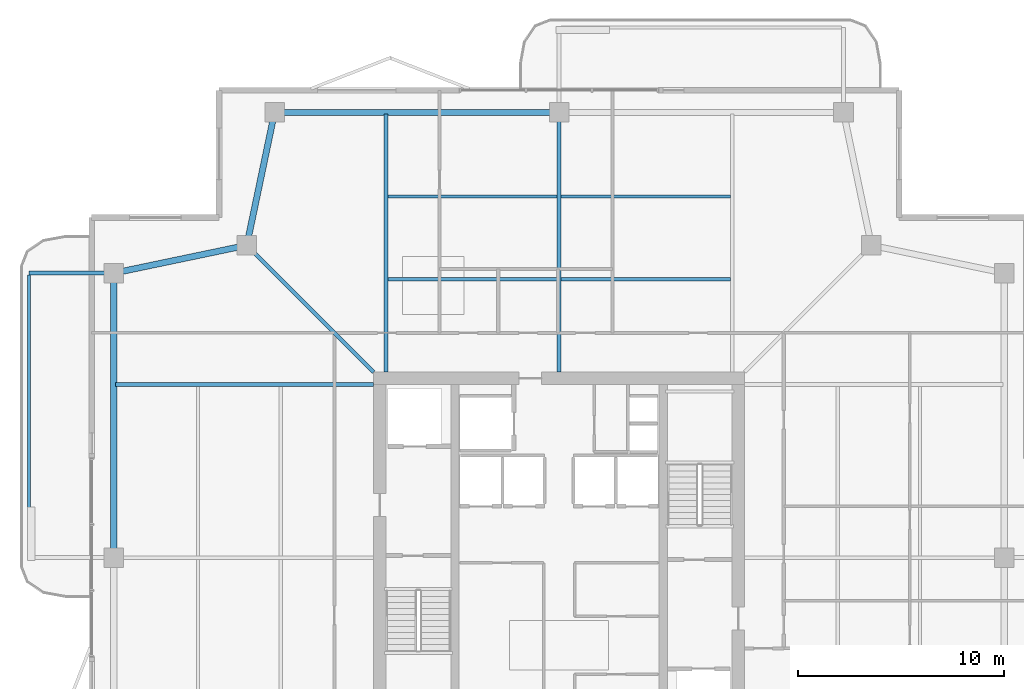
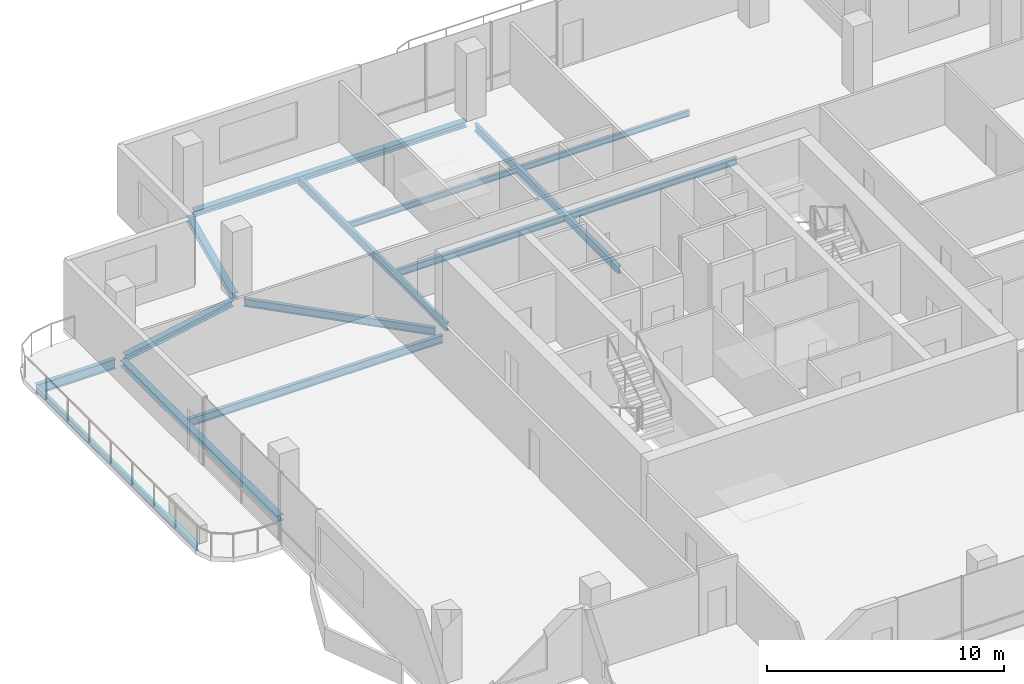
# One storey, part 9 of 17: 14 beams.
"""IFC4 building model written with IfcOpenShell, lengths in metres."""

import ifcopenshell
import ifcopenshell.guid

model = None  # the IFC model being written
_history = None  # IfcOwnerHistory: only IFC2X3 demands one
_inside = {}  # id of a spatial element -> (the spatial element, [elements in it])
_under = {}  # id of a project, library or spatial element -> (it, [spatial elements below it])
_declared = {}  # id of a project -> (the project, [libraries it declares])
_typed = {}  # id of a type object -> (the type object, [elements of that type])
_made_of = {}  # id of a material, layer set ... -> (it, [elements and type objects made of it])


def new_model(schema):
    """Start an empty IFC model of exactly this schema.

    Asked for "IFC4X3", IfcOpenShell would pick the latest addendum, in which some entities
    have other attributes; the version numbers below select the first issue.
    IFC2X3 requires an IfcOwnerHistory on every rooted entity: one is made here for all.
    """
    global model, _history
    if schema == "IFC4X3":
        model = ifcopenshell.file(schema_version=(4, 3, 0, 0))
    else:
        model = ifcopenshell.file(schema=schema)
    _inside.clear()
    _under.clear()
    _declared.clear()
    _typed.clear()
    _made_of.clear()
    _history = None
    if model.schema == "IFC2X3":
        org = make("IfcOrganization", Name="unknown")
        user = make(
            "IfcPersonAndOrganization",
            ThePerson=make("IfcPerson", FamilyName="unknown"),
            TheOrganization=org,
        )
        app = make(
            "IfcApplication",
            ApplicationDeveloper=org,
            Version="unknown",
            ApplicationFullName="unknown",
            ApplicationIdentifier="unknown",
        )
        _history = make(
            "IfcOwnerHistory",
            OwningUser=user,
            OwningApplication=app,
            ChangeAction="ADDED",
            CreationDate=0,
        )
    return model


def make(cls, **values):
    """One entity of the class cls with the attributes given. An attribute that is None is left unset."""
    return model.create_entity(
        cls, **{name: value for name, value in values.items() if value is not None}
    )


def rooted(cls, **values):
    """An entity with a GlobalId (a new one), such as an element, a storey or a relation."""
    return make(cls, GlobalId=ifcopenshell.guid.new(), OwnerHistory=_history, **values)


def si_unit(unit_type, name, prefix=None):
    """IfcSIUnit, for example si_unit("LENGTHUNIT", "METRE", prefix="MILLI")."""
    return make("IfcSIUnit", UnitType=unit_type, Prefix=prefix, Name=name)


def assignment(units):
    """IfcUnitAssignment: the units of a project."""
    return None if units is None else make("IfcUnitAssignment", Units=units)


def point(xyz):
    """IfcCartesianPoint."""
    return None if xyz is None else make("IfcCartesianPoint", Coordinates=xyz)


def direction(xyz):
    """IfcDirection."""
    return None if xyz is None else make("IfcDirection", DirectionRatios=xyz)


def frame(location, z_axis=None, x_axis=None):
    """IfcAxis2Placement3D, a coordinate frame: its origin and axes. An axis left out is left unset."""
    return make(
        "IfcAxis2Placement3D",
        Location=point(location),
        Axis=direction(z_axis),
        RefDirection=direction(x_axis),
    )


def frame_2d(location, x_axis=None):
    """IfcAxis2Placement2D, a coordinate frame in the plane: its origin and x axis."""
    return make(
        "IfcAxis2Placement2D", Location=point(location), RefDirection=direction(x_axis)
    )


def origin():
    """The frame at (0, 0, 0) with its axes left unset."""
    return frame((0.0, 0.0, 0.0))


def origin_2d():
    """The frame at (0, 0) in the plane with its x axis left unset."""
    return frame_2d((0.0, 0.0))


def place(relative_to, where):
    """IfcLocalPlacement: puts the frame where relative to a parent placement (None: the world)."""
    return make(
        "IfcLocalPlacement", PlacementRelTo=relative_to, RelativePlacement=where
    )


def context(
    kind, dimensions, precision=None, world=None, true_north=None, identifier=None
):
    """IfcGeometricRepresentationContext, for example the 3D "Model" context."""
    return make(
        "IfcGeometricRepresentationContext",
        ContextIdentifier=identifier,
        ContextType=kind,
        CoordinateSpaceDimension=dimensions,
        Precision=precision,
        WorldCoordinateSystem=world,
        TrueNorth=true_north,
    )


def subcontext(parent, identifier, kind, view, scale=None):
    """IfcGeometricRepresentationSubContext, for example "Body" below "Model"."""
    return make(
        "IfcGeometricRepresentationSubContext",
        ContextIdentifier=identifier,
        ContextType=kind,
        ParentContext=parent,
        TargetScale=scale,
        TargetView=view,
    )


def project(units=None, contexts=None):
    """IfcProject with its units and contexts."""
    return rooted(
        "IfcProject",
        Name="project",
        RepresentationContexts=contexts,
        UnitsInContext=assignment(units),
    )


def spatial(cls, under=None, at=None, **own):
    """A site, building, storey or space (cls), placed at a placement, below another one or the project."""
    s = rooted(cls, ObjectPlacement=at, **own)
    if under is not None:
        _under.setdefault(under.id(), (under, []))[1].append(s)
    return s


def profile(cls, at=None, kind="AREA", **sizes):
    """A parametric profile (cls). Its sizes go by their IFC names, for example OverallWidth=200.0."""
    return make(cls, ProfileType=kind, Position=at, **sizes)


def i_section(**sizes):
    """IfcIShapeProfileDef."""
    return profile("IfcIShapeProfileDef", **sizes)


def extrude(swept, where, along, depth):
    """IfcExtrudedAreaSolid: the profile swept, set in the frame where, extruded along a direction by depth."""
    return make(
        "IfcExtrudedAreaSolid",
        SweptArea=swept,
        Position=where,
        ExtrudedDirection=direction(along),
        Depth=depth,
    )


def shape(context_of_items, identifier, shape_type, items):
    """IfcShapeRepresentation: the items that make up one representation, for example the "Body"."""
    return make(
        "IfcShapeRepresentation",
        ContextOfItems=context_of_items,
        RepresentationIdentifier=identifier,
        RepresentationType=shape_type,
        Items=items,
    )


def material(Name=None, Category=None):
    """IfcMaterial."""
    return make("IfcMaterial", Name=Name, Category=Category)


def material_profile(
    of_material, cross_section, Name=None, Category=None, Priority=None
):
    """IfcMaterialProfile: a cross section and its material."""
    return make(
        "IfcMaterialProfile",
        Name=Name,
        Material=of_material,
        Profile=cross_section,
        Priority=Priority,
        Category=Category,
    )


def profile_set(profiles, Name=None, composite=None):
    """IfcMaterialProfileSet."""
    return make(
        "IfcMaterialProfileSet",
        Name=Name,
        MaterialProfiles=profiles,
        CompositeProfile=composite,
    )


def made_of(thing, what):
    """Note that an element or type object is made of a material, layer set ...; save() writes the relation."""
    if what is not None:
        _made_of.setdefault(what.id(), (what, []))[1].append(thing)
    return thing


def type_object(cls, material=None, **own):
    """A type object (cls), such as IfcWallType, which elements share."""
    return made_of(rooted(cls, **own), material)


def element(
    cls,
    number,
    at=None,
    inside=None,
    cuts=None,
    type_object=None,
    material=None,
    context=None,
    identifier="Body",
    shape_type=None,
    held_by="IfcProductDefinitionShape",
    body=None,
    shapes=None,
    **own,
):
    """One element of the class cls, such as IfcWall. Its Tag is "e" and its number.

    at: its placement. inside: the storey or other place that contains it. cuts: it is an
    opening in that element (IfcRelVoidsElement). A single representation is given by context,
    identifier, shape_type and body (its items); several are given by shapes. held_by: the class
    of the entity that holds the representations. save() writes the other relations.
    """
    e = rooted(cls, Tag="e%d" % number, ObjectPlacement=at, **own)
    if body is not None:
        shapes = [shape(context, identifier, shape_type, body)]
    if shapes is not None:
        e.Representation = make(held_by, Representations=shapes)
    if inside is not None:
        _inside.setdefault(inside.id(), (inside, []))[1].append(e)
    if cuts is not None:
        rooted(
            "IfcRelVoidsElement", RelatingBuildingElement=cuts, RelatedOpeningElement=e
        )
    if type_object is not None:
        _typed.setdefault(type_object.id(), (type_object, []))[1].append(e)
    return made_of(e, material)


def aggregate(whole, parts):
    """IfcRelAggregates: a whole, such as a stair, and the parts it consists of."""
    return rooted("IfcRelAggregates", RelatingObject=whole, RelatedObjects=parts)


def save(model, path):
    """Write the relations noted so far, then the file.

    IfcRelAggregates (storeys below a building ...), IfcRelContainedInSpatialStructure (elements
    in a storey), IfcRelDefinesByType, IfcRelAssociatesMaterial and IfcRelDeclares: one each for
    every whole, place, type object, material and project.
    """
    for whole, parts in _under.values():
        aggregate(whole, parts)
    for where, things in _inside.values():
        rooted(
            "IfcRelContainedInSpatialStructure",
            RelatedElements=things,
            RelatingStructure=where,
        )
    for kind, things in _typed.values():
        rooted("IfcRelDefinesByType", RelatedObjects=things, RelatingType=kind)
    for what, things in _made_of.values():
        rooted("IfcRelAssociatesMaterial", RelatedObjects=things, RelatingMaterial=what)
    for by, libraries in _declared.values():
        rooted("IfcRelDeclares", RelatingContext=by, RelatedDefinitions=libraries)
    model.write(path)


model = new_model("IFC4")

# Units and contexts
model_context = context("Model", 3, precision=1e-05, world=origin(), true_north=direction((0.0, 1.0)))
body_context = subcontext(model_context, "Body", "Model", "MODEL_VIEW")
ifc_project = project(units=[si_unit("LENGTHUNIT", "METRE"), si_unit("AREAUNIT", "SQUARE_METRE"), si_unit("VOLUMEUNIT", "CUBIC_METRE"), si_unit("PLANEANGLEUNIT", "RADIAN"), si_unit("MASSUNIT", "GRAM", prefix="KILO")], contexts=[model_context])

# Site, building, storey
site_placement = place(None, origin())
site = spatial("IfcSite", under=ifc_project, at=site_placement, CompositionType="ELEMENT")
building_placement = place(site_placement, origin())
building = spatial("IfcBuilding", under=site, at=building_placement, Name="Belovzor Exchange Tower", CompositionType="ELEMENT")
storey_placement = place(building_placement, frame((0.0, 0.0, 303.0)))
storey = spatial("IfcBuildingStorey", under=building, at=storey_placement, Name="L75", CompositionType="ELEMENT", Elevation=303.0)

# Beams
ifc_material_1 = material(Name="Steel S355", Category="steel")
ifc_material_profile_1 = material_profile(ifc_material_1, i_section(OverallWidth=0.199951171875, OverallDepth=0.5, WebThickness=0.01025390625, FlangeThickness=0.01611328125, at=origin_2d()))
ifc_profile_set_1 = profile_set([ifc_material_profile_1], Name="Steel S355")
beam_type_1 = type_object("IfcBeamType", Name="Planted Balcony Cantilever Beam IPE 500", PredefinedType="BEAM", material=ifc_profile_set_1)
beam_1_placement = place(storey_placement, frame((6.93896484375, 42.60009765625, -0.489990234375), z_axis=(-1.0, 0.0, 0.0), x_axis=(0.0, -1.0, 0.0)))
element("IfcBeam", 1, at=beam_1_placement, inside=storey, type_object=beam_type_1, Name="BC-500 Planted Balcony Cantilever Beam IPE 500", PredefinedType="BEAM", context=body_context, shape_type="SweptSolid", body=[
    extrude(i_section(OverallWidth=0.199951171875, OverallDepth=0.5, WebThickness=0.01025390625, FlangeThickness=0.01611328125, at=origin_2d()), origin(), (0.0, 0.0, 1.0), 3.849853515625),
])
ifc_material_2 = material(Name="Steel S355", Category="steel")
ifc_material_profile_2 = material_profile(ifc_material_2, i_section(OverallWidth=0.14990234375, OverallDepth=0.300048828125, WebThickness=0.007080078125, FlangeThickness=0.0107421875, at=origin_2d()))
ifc_profile_set_2 = profile_set([ifc_material_profile_2], Name="Steel S355")
beam_type_2 = type_object("IfcBeamType", Name="Planted Balcony Fascia Edge Beam IPE 300", PredefinedType="BEAM", material=ifc_profile_set_2)
beam_2_placement = place(storey_placement, frame((3.089111328125, 42.5, -0.389892578125), z_axis=(0.0, -1.0, 0.0), x_axis=(1.0, 0.0, 0.0)))
element("IfcBeam", 2, at=beam_2_placement, inside=storey, type_object=beam_type_2, Name="BC-300 Planted Balcony Fascia Edge Beam IPE 300", PredefinedType="BEAM", context=body_context, shape_type="SweptSolid", body=[
    extrude(i_section(OverallWidth=0.14990234375, OverallDepth=0.300048828125, WebThickness=0.007080078125, FlangeThickness=0.0107421875, at=origin_2d()), origin(), (0.0, 0.0, 1.0), 13.60009765625),
])
ifc_material_3 = material(Name="Steel S355", Category="steel")
ifc_material_profile_3 = material_profile(ifc_material_3, i_section(OverallWidth=0.169921875, OverallDepth=0.360107421875, WebThickness=0.008056640625, FlangeThickness=0.0126953125, at=origin_2d()))
ifc_profile_set_3 = profile_set([ifc_material_profile_3], Name="Steel S355")
beam_type_3 = type_object("IfcBeamType", Name="Secondary Infill Floor Joist IPE 360", PredefinedType="BEAM", material=ifc_profile_set_3)
beam_3_placement = place(storey_placement, frame((20.489990234375, 42.30908203125, -0.419921875), z_axis=(1.0, 0.0, 0.0), x_axis=(0.0, 1.0, 0.0)))
element("IfcBeam", 3, at=beam_3_placement, inside=storey, type_object=beam_type_3, Name="FJ-360 Secondary Infill Floor Joist IPE 360", PredefinedType="BEAM", context=body_context, shape_type="SweptSolid", body=[
    extrude(i_section(OverallWidth=0.169921875, OverallDepth=0.360107421875, WebThickness=0.008056640625, FlangeThickness=0.0126953125, at=origin_2d()), origin(), (0.0, 0.0, 1.0), 8.219970703125),
])
beam_4_placement = place(storey_placement, frame((28.889892578125, 42.30908203125, -0.419921875), z_axis=(1.0, 0.0, 0.0), x_axis=(0.0, 1.0, 0.0)))
element("IfcBeam", 4, at=beam_4_placement, inside=storey, type_object=beam_type_3, Name="FJ-360 Secondary Infill Floor Joist IPE 360", PredefinedType="BEAM", context=body_context, shape_type="SweptSolid", body=[
    extrude(i_section(OverallWidth=0.169921875, OverallDepth=0.360107421875, WebThickness=0.008056640625, FlangeThickness=0.0126953125, at=origin_2d()), origin(), (0.0, 0.0, 1.0), 8.22021484375),
])
ifc_material_4 = material(Name="Steel S355", Category="steel")
ifc_material_profile_4 = material_profile(ifc_material_4, i_section(OverallWidth=0.14990234375, OverallDepth=0.300048828125, WebThickness=0.007080078125, FlangeThickness=0.0107421875, at=origin_2d()))
ifc_profile_set_4 = profile_set([ifc_material_profile_4], Name="Steel S355")
beam_type_4 = type_object("IfcBeamType", Name="Secondary Trim Floor Joist IPE 300", PredefinedType="BEAM", material=ifc_profile_set_4)
beam_5_placement = place(storey_placement, frame((20.489990234375, 46.31689453125, -0.389892578125), z_axis=(1.0, 0.0, 0.0), x_axis=(0.0, 1.0, 0.0)))
element("IfcBeam", 5, at=beam_5_placement, inside=storey, type_object=beam_type_4, Name="FJ-300 Secondary Trim Floor Joist IPE 300", PredefinedType="BEAM", context=body_context, shape_type="SweptSolid", body=[
    extrude(i_section(OverallWidth=0.14990234375, OverallDepth=0.300048828125, WebThickness=0.007080078125, FlangeThickness=0.0107421875, at=origin_2d()), origin(), (0.0, 0.0, 1.0), 8.219970703125),
])
beam_6_placement = place(storey_placement, frame((28.889892578125, 46.31689453125, -0.389892578125), z_axis=(1.0, 0.0, 0.0), x_axis=(0.0, 1.0, 0.0)))
element("IfcBeam", 6, at=beam_6_placement, inside=storey, type_object=beam_type_4, Name="FJ-300 Secondary Trim Floor Joist IPE 300", PredefinedType="BEAM", context=body_context, shape_type="SweptSolid", body=[
    extrude(i_section(OverallWidth=0.14990234375, OverallDepth=0.300048828125, WebThickness=0.007080078125, FlangeThickness=0.0107421875, at=origin_2d()), origin(), (0.0, 0.0, 1.0), 8.22021484375),
])
ifc_material_5 = material(Name="Steel S355", Category="steel")
ifc_material_profile_5 = material_profile(ifc_material_5, i_section(OverallWidth=0.179931640625, OverallDepth=0.39990234375, WebThickness=0.008544921875, FlangeThickness=0.013427734375, at=origin_2d()))
ifc_profile_set_5 = profile_set([ifc_material_profile_5], Name="Steel S355")
beam_type_5 = type_object("IfcBeamType", Name="Zone 5-6 Radial Composite Floor Beam IPE 400", PredefinedType="BEAM", material=ifc_profile_set_5)
beam_7_placement = place(storey_placement, frame((20.39990234375, 37.800048828125, -0.43994140625), z_axis=(0.0, 1.0, 0.0), x_axis=(-1.0, 0.0, 0.0)))
element("IfcBeam", 7, at=beam_7_placement, inside=storey, type_object=beam_type_5, Name="FB-400 Zone 5-6 Radial Composite Floor Beam IPE 400", PredefinedType="BEAM", context=body_context, shape_type="SweptSolid", body=[
    extrude(i_section(OverallWidth=0.179931640625, OverallDepth=0.39990234375, WebThickness=0.008544921875, FlangeThickness=0.013427734375, at=origin_2d()), origin(), (0.0, 0.0, 1.0), 12.52490234375),
])
beam_8_placement = place(storey_placement, frame((28.800048828125, 37.800048828125, -0.43994140625), z_axis=(0.0, 1.0, 0.0), x_axis=(-1.0, 0.0, 0.0)))
element("IfcBeam", 8, at=beam_8_placement, inside=storey, type_object=beam_type_5, Name="FB-400 Zone 5-6 Radial Composite Floor Beam IPE 400", PredefinedType="BEAM", context=body_context, shape_type="SweptSolid", body=[
    extrude(i_section(OverallWidth=0.179931640625, OverallDepth=0.39990234375, WebThickness=0.008544921875, FlangeThickness=0.013427734375, at=origin_2d()), origin(), (0.0, 0.0, 1.0), 12.181884765625),
])
beam_9_placement = place(storey_placement, frame((19.800048828125, 37.199951171875, -0.43994140625), z_axis=(-1.0, 0.0, 0.0), x_axis=(0.0, -1.0, 0.0)))
element("IfcBeam", 9, at=beam_9_placement, inside=storey, type_object=beam_type_5, Name="FB-400 Zone 5-6 Radial Composite Floor Beam IPE 400", PredefinedType="BEAM", context=body_context, shape_type="SweptSolid", body=[
    extrude(i_section(OverallWidth=0.179931640625, OverallDepth=0.39990234375, WebThickness=0.008544921875, FlangeThickness=0.013427734375, at=origin_2d()), origin(), (0.0, 0.0, 1.0), 12.525146484375),
])
beam_10_placement = place(storey_placement, frame((19.800048828125, 37.800048828125, -0.43994140625), z_axis=(-0.707062982569, 0.707150577091, 0.0), x_axis=(-0.707150577091, -0.707062982569, 0.0)))
element("IfcBeam", 10, at=beam_10_placement, inside=storey, type_object=beam_type_5, Name="FB-400 Zone 5-6 Radial Composite Floor Beam IPE 400", PredefinedType="BEAM", context=body_context, shape_type="SweptSolid", body=[
    extrude(i_section(OverallWidth=0.179931640625, OverallDepth=0.39990234375, WebThickness=0.008544921875, FlangeThickness=0.013427734375, at=origin_2d()), origin(), (0.0, 0.0, 1.0), 8.361572265625),
])
ifc_material_6 = material(Name="Steel S355", Category="steel")
ifc_material_profile_6 = material_profile(ifc_material_6, i_section(OverallWidth=0.300048828125, OverallDepth=0.300048828125, WebThickness=0.008544921875, FlangeThickness=0.013916015625, at=origin_2d()))
ifc_profile_set_6 = profile_set([ifc_material_profile_6], Name="Steel S355")
beam_type_6 = type_object("IfcBeamType", Name="Zone 6 Primary Girder HEA 300", PredefinedType="BEAM", material=ifc_profile_set_6)
beam_11_placement = place(storey_placement, frame((28.5390625, 50.39990234375, -0.389892578125), z_axis=(-1.0, 0.0, 0.0), x_axis=(0.0, -1.0, 0.0)))
element("IfcBeam", 11, at=beam_11_placement, inside=storey, type_object=beam_type_6, Name="FG-Z6 Zone 6 Primary Girder HEA 300", PredefinedType="BEAM", context=body_context, shape_type="SweptSolid", body=[
    extrude(i_section(OverallWidth=0.300048828125, OverallDepth=0.300048828125, WebThickness=0.008544921875, FlangeThickness=0.013916015625, at=origin_2d()), origin(), (0.0, 0.0, 1.0), 13.278076171875),
])
for number, where, z_axis, x_axis, name in (
    (12, (14.946044921875, 50.14404296875, -0.389892578125), (-0.204722380619, -0.978820078908, 0.0), (0.978820078908, -0.204722380619, 0.0), "FG-Z6 Zone 6 Primary Girder HEA 300"),
    (13, (13.39404296875, 43.89599609375, -0.389892578125), (-0.978820078908, -0.204722380619, 0.0), (0.204722380619, -0.978820078908, 0.0), "FG-Z6 Zone 6 Primary Girder HEA 300"),
):
    element("IfcBeam", number, at=place(storey_placement, frame(where, z_axis=z_axis, x_axis=x_axis)), inside=storey, type_object=beam_type_6, Name=name, PredefinedType="BEAM", context=body_context, shape_type="SweptSolid", body=[
        extrude(i_section(OverallWidth=0.300048828125, OverallDepth=0.300048828125, WebThickness=0.008544921875, FlangeThickness=0.013916015625, at=origin_2d()), origin(), (0.0, 0.0, 1.0), 6.06640625),
    ])
beam_12_placement = place(storey_placement, frame((7.199951171875, 42.339111328125, -0.389892578125), z_axis=(0.0, -1.0, 0.0), x_axis=(1.0, 0.0, 0.0)))
element("IfcBeam", 14, at=beam_12_placement, inside=storey, type_object=beam_type_6, Name="FG-Z6 Zone 6 Primary Girder HEA 300", PredefinedType="BEAM", context=body_context, shape_type="SweptSolid", body=[
    extrude(i_section(OverallWidth=0.300048828125, OverallDepth=0.300048828125, WebThickness=0.008544921875, FlangeThickness=0.013916015625, at=origin_2d()), origin(), (0.0, 0.0, 1.0), 13.278076171875),
])

save(model, "model.ifc")
